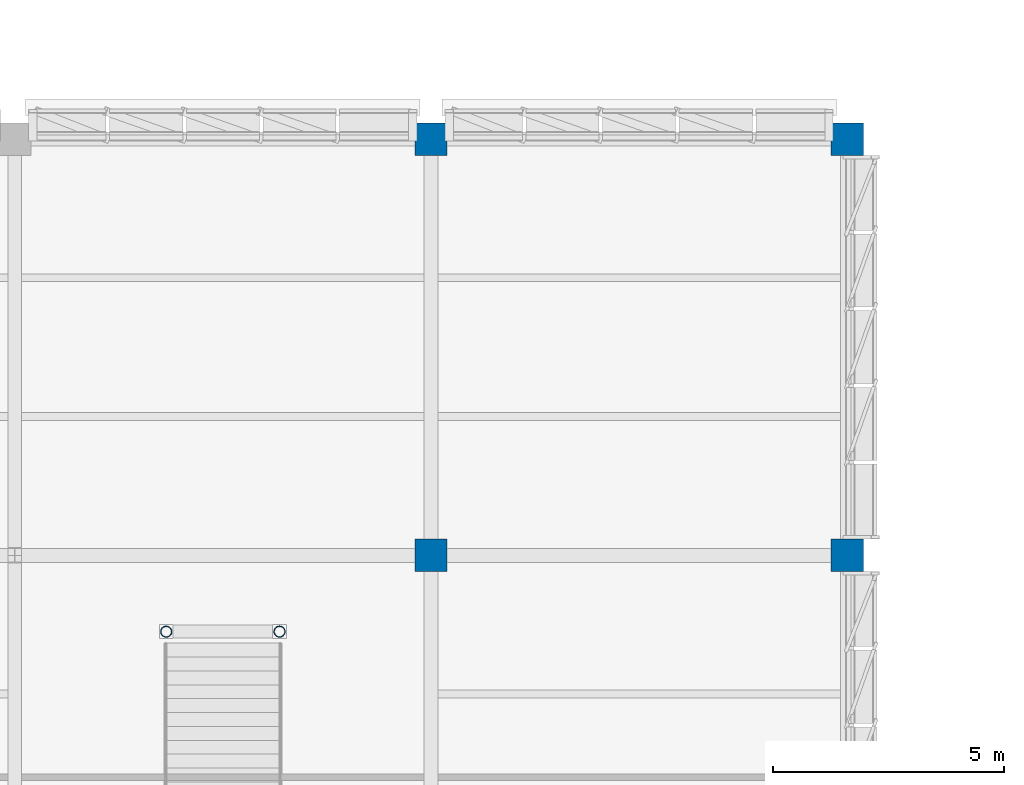
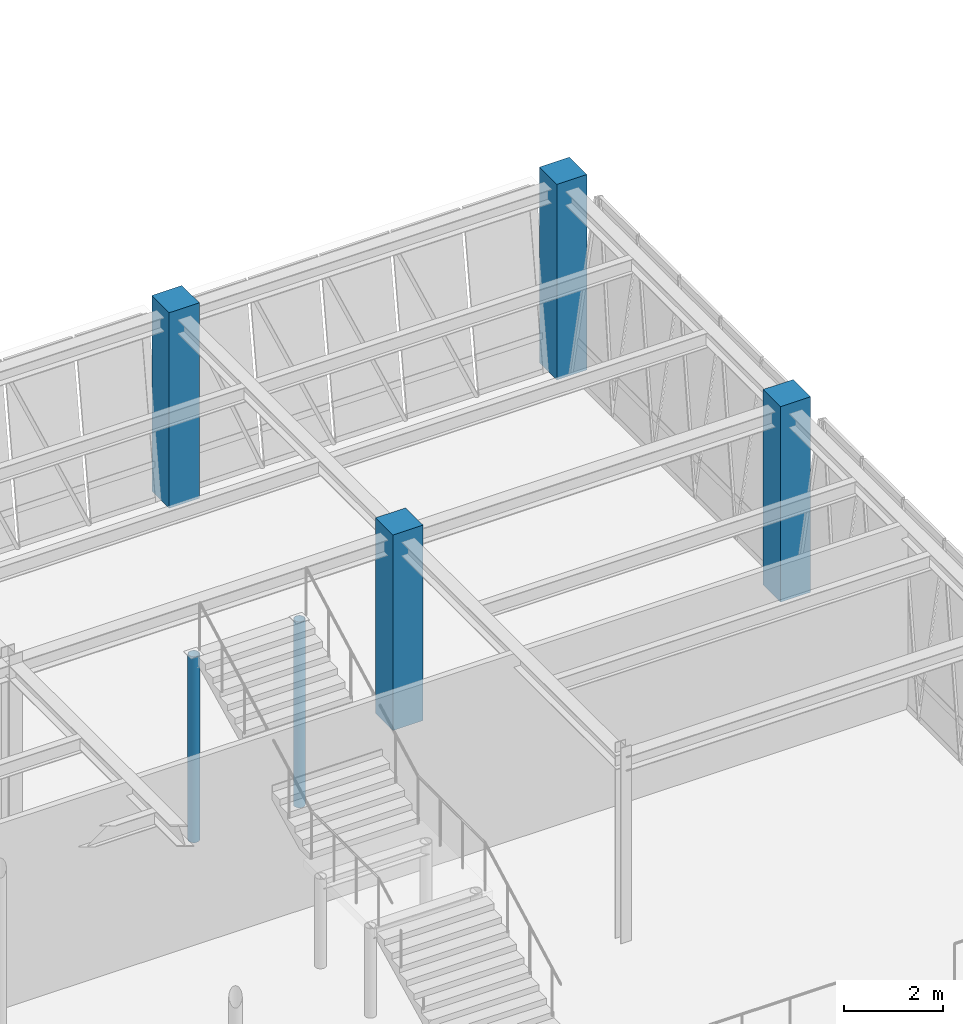
# One storey, part 13 of 92: 6 columns.
"""IFC4 building model written with IfcOpenShell, lengths in metres."""

from ifc_helpers import new_model, si_unit, direction, frame, origin, origin_2d, place, context, subcontext, project, spatial, rectangle, hollow_circle, extrude, material, material_profile, profile_set, type_object, element, save


model = new_model("IFC4")

# Units and contexts
model_context = context("Model", 3, precision=1e-05, world=origin(), true_north=direction((0.0, 1.0)))
body_context = subcontext(model_context, "Body", "Model", "MODEL_VIEW")
ifc_project = project(units=[si_unit("LENGTHUNIT", "METRE"), si_unit("AREAUNIT", "SQUARE_METRE"), si_unit("VOLUMEUNIT", "CUBIC_METRE"), si_unit("PLANEANGLEUNIT", "RADIAN"), si_unit("MASSUNIT", "GRAM", prefix="KILO")], contexts=[model_context])

# Site, building, storey
site_placement = place(None, origin())
site = spatial("IfcSite", under=ifc_project, at=site_placement, CompositionType="ELEMENT")
building_placement = place(site_placement, origin())
building = spatial("IfcBuilding", under=site, at=building_placement, Name="Lykobir Media Centre", CompositionType="ELEMENT")
storey_placement = place(building_placement, frame((0.0, 0.0, 5.39990234375)))
storey = spatial("IfcBuildingStorey", under=building, at=storey_placement, Name="L01", CompositionType="ELEMENT", Elevation=5.39990234375)

# Columns
ifc_material_1 = material(Name="Concrete C40/50", Category="concrete")
ifc_material_profile_1 = material_profile(ifc_material_1, rectangle(XDim=0.699951171875, YDim=0.699951171875, at=origin_2d()), Name="RC 700x700")
ifc_profile_set_1 = profile_set([ifc_material_profile_1], Name="Concrete C40/50")
column_type_1 = type_object("IfcColumnType", Name="RC-C700", PredefinedType="COLUMN", material=ifc_profile_set_1)
column_placement = place(storey_placement, frame((72.0, 99.0, 0.0), z_axis=(0.0, 0.0, 1.0), x_axis=(1.0, 0.0, 0.0)))
element("IfcColumn", 1, at=column_placement, inside=storey, type_object=column_type_1, Name="Column COL-L01-0720-0990", PredefinedType="COLUMN", context=body_context, shape_type="SweptSolid", body=[
    extrude(rectangle(XDim=0.699951171875, YDim=0.699951171875, at=origin_2d()), origin(), (0.0, 0.0, 1.0), 4.800048828125),
])
ifc_material_profile_2 = material_profile(ifc_material_1, rectangle(XDim=0.699951171875, YDim=0.699951171875, at=origin_2d()), Name="RC 700x700")
ifc_profile_set_2 = profile_set([ifc_material_profile_2], Name="Concrete C40/50")
column_type_2 = type_object("IfcColumnType", Name="RC-C700-E", PredefinedType="COLUMN", material=ifc_profile_set_2)
for number, where, z_axis, x_axis, name in (
    (2, (72.0, 108.0, 0.0), (0.0, 0.0, 1.0), (1.0, 0.0, 0.0), "Column COL-L01-0720-1080"),
    (3, (81.0, 99.0, 0.0), (0.0, 0.0, 1.0), (1.0, 0.0, 0.0), "Column COL-L01-0810-0990"),
    (4, (81.0, 108.0, 0.0), (0.0, 0.0, 1.0), (1.0, 0.0, 0.0), "Column COL-L01-0810-1080"),
):
    element("IfcColumn", number, at=place(storey_placement, frame(where, z_axis=z_axis, x_axis=x_axis)), inside=storey, type_object=column_type_2, Name=name, PredefinedType="COLUMN", context=body_context, shape_type="SweptSolid", body=[
        extrude(rectangle(XDim=0.699951171875, YDim=0.699951171875, at=origin_2d()), origin(), (0.0, 0.0, 1.0), 4.800048828125),
    ])
ifc_material_2 = material(Name="Steel S355", Category="steel")
ifc_material_profile_3 = material_profile(ifc_material_2, hollow_circle(Radius=0.122314453125, WallThickness=0.012451171875, at=origin_2d()), Name="CHS 244.5x12.5")
ifc_profile_set_3 = profile_set([ifc_material_profile_3], Name="Steel S355")
column_type_3 = type_object("IfcColumnType", Name="SC-CHS244", PredefinedType="COLUMN", material=ifc_profile_set_3)
for number, where, z_axis, x_axis, name in (
    (5, (66.27490234375, 97.35009765625, 0.0), (0.0, 0.0, 1.0), (1.0, 0.0, 0.0), "Valley arrival column L01 A2-663"),
    (6, (68.72509765625, 97.35009765625, 0.0), (0.0, 0.0, 1.0), (1.0, 0.0, 0.0), "Valley arrival column L01 A2-687"),
):
    element("IfcColumn", number, at=place(storey_placement, frame(where, z_axis=z_axis, x_axis=x_axis)), inside=storey, type_object=column_type_3, Name=name, PredefinedType="COLUMN", context=body_context, shape_type="SweptSolid", body=[
        extrude(hollow_circle(Radius=0.122314453125, WallThickness=0.012451171875, at=origin_2d()), origin(), (0.0, 0.0, 1.0), 4.56005859375),
    ])

save(model, "model.ifc")
